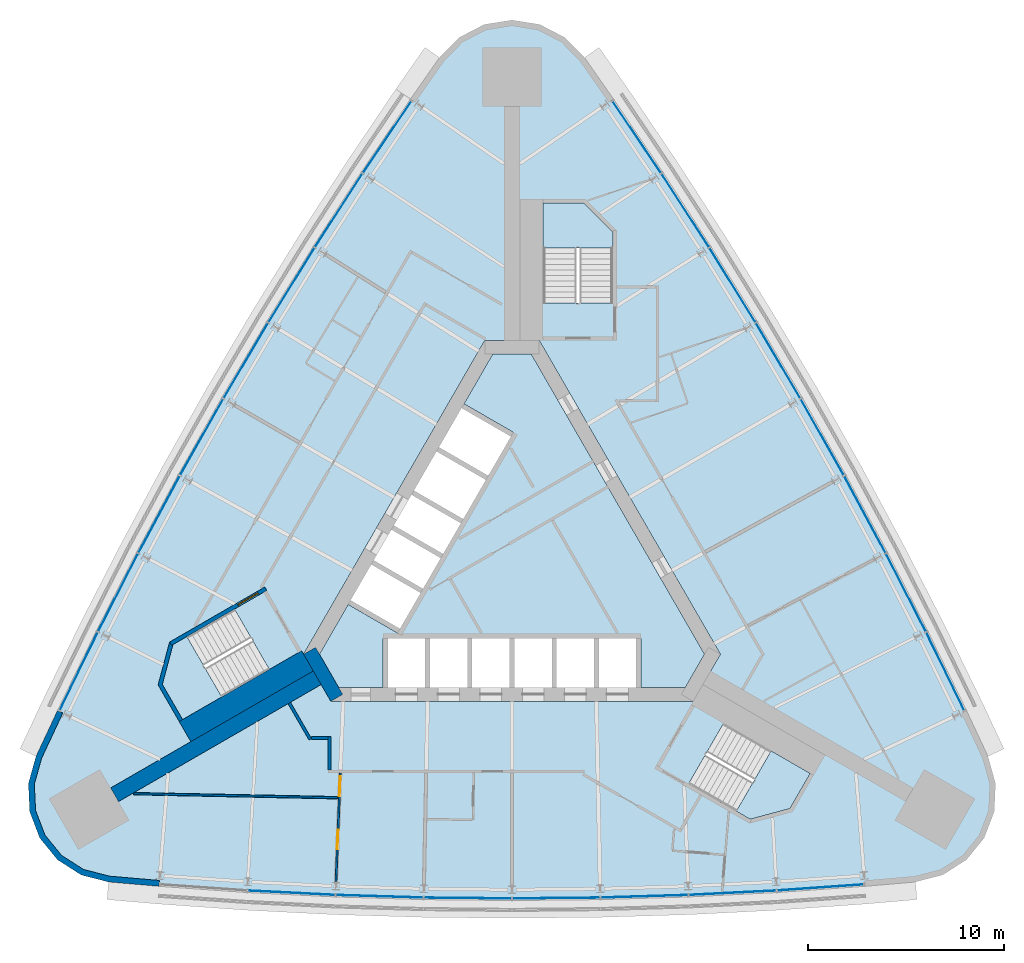
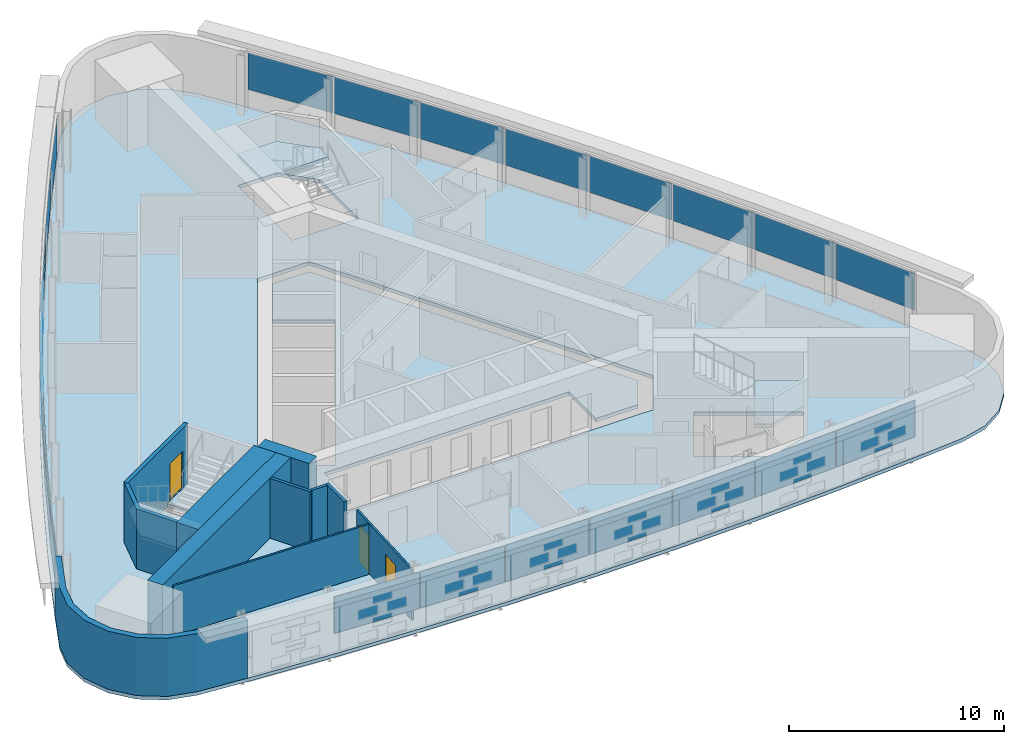
# One storey, part 6 of 11: 23 plates, 11 walls, 5 slabs, 3 doors, 3 openings, 6 elements without a shape of their own.
"""IFC4 building model written with IfcOpenShell, lengths in metres."""

from ifc_helpers import new_model, si_unit, direction, frame, frame_2d, origin, origin_2d, place, context, subcontext, project, spatial, polyline, rectangle, outline, extrude, material, layer, layer_set, type_object, element, fill, aggregate, save


model = new_model("IFC4")

# Units and contexts
model_context = context("Model", 3, precision=1e-05, world=origin(), true_north=direction((0.0, 1.0)))
body_context = subcontext(model_context, "Body", "Model", "MODEL_VIEW")
ifc_project = project(units=[si_unit("LENGTHUNIT", "METRE"), si_unit("AREAUNIT", "SQUARE_METRE"), si_unit("VOLUMEUNIT", "CUBIC_METRE"), si_unit("PLANEANGLEUNIT", "RADIAN"), si_unit("MASSUNIT", "GRAM", prefix="KILO")], contexts=[model_context])

# Site, building, storey
site_placement = place(None, origin())
site = spatial("IfcSite", under=ifc_project, at=site_placement, CompositionType="ELEMENT")
building_placement = place(site_placement, origin())
building = spatial("IfcBuilding", under=site, at=building_placement, Name="Noor Cloister Tower", CompositionType="ELEMENT")
storey_placement = place(building_placement, frame((0.0, 0.0, 109.5)))
storey = spatial("IfcBuildingStorey", under=building, at=storey_placement, Name="L28", CompositionType="ELEMENT", Elevation=109.5)

# Slabs
ifc_material_1 = material(Name="Concrete C40/50", Category="concrete")
ifc_layer_1 = layer(ifc_material_1, 0.199951171875)
ifc_layer_set_1 = layer_set([ifc_layer_1], Name="Core floor slab 200 C40/50")
slab_type_1 = type_object("IfcSlabType", Name="Core floor slab 200 C40/50", PredefinedType="FLOOR", material=ifc_layer_set_1)
slab_1_placement = place(storey_placement, frame((0.0, 0.0, -0.199951171875)))
element("IfcSlab", 1, at=slab_1_placement, inside=storey, type_object=slab_type_1, Name="Core floor L28", PredefinedType="FLOOR", context=body_context, shape_type="SweptSolid", body=[
    extrude(outline(polyline([(-6.574951171875, -6.228271484375), (-6.574951171875, -3.728271484375), (6.574951171875, -3.728271484375), (6.574951171875, -6.228271484375), (8.82470703125, -6.228271484375), (9.80615234375, -4.5283203125), (0.9814453125, 10.75634765625), (-0.9814453125, 10.75634765625), (-2.44384765625, 8.2236328125), (0.067626953125, 6.773681640625), (-5.832275390625, -3.4453125), (-8.34375, -1.995361328125), (-9.80615234375, -4.5283203125), (-8.82470703125, -6.228271484375), (-6.574951171875, -6.228271484375)])), origin(), (0.0, 0.0, 1.0), 0.199951171875),
])
ifc_material_2 = material(Name="Concrete C40/50", Category="concrete")
ifc_layer_2 = layer(ifc_material_2, 0.199951171875)
ifc_layer_set_2 = layer_set([ifc_layer_2], Name="Floor slab 200 C40/50")
slab_type_2 = type_object("IfcSlabType", Name="Floor slab 200 C40/50", PredefinedType="FLOOR", material=ifc_layer_set_2)
slab_2_placement = place(storey_placement, frame((0.0, 0.0, -0.199951171875)))
element("IfcSlab", 2, at=slab_2_placement, inside=storey, type_object=slab_type_2, Name="Floor slab L28", PredefinedType="FLOOR", context=body_context, shape_type="SweptSolid", body=[
    extrude(outline(polyline([(3.694091796875, 25.862548828125), (2.6904296875, 26.8876953125), (1.41650390625, 27.54736328125), (0.0, 27.774658203125), (-1.41650390625, 27.54736328125), (-2.6904296875, 26.8876953125), (-3.694091796875, 25.862548828125), (-5.1708984375, 23.747802734375), (-7.68896484375, 20.018310546875), (-10.131591796875, 16.239013671875), (-12.498046875, 12.41162109375), (-14.786865234375, 8.537353515625), (-16.99755859375, 4.617919921875), (-19.129150390625, 0.65478515625), (-21.180908203125, -3.350341796875), (-23.151611328125, -7.395751953125), (-24.24462890625, -9.732177734375), (-24.630615234375, -11.11376953125), (-24.56494140625, -12.546875), (-24.0537109375, -13.887451171875), (-23.1484375, -15.000244140625), (-21.940185546875, -15.77392578125), (-20.550537109375, -16.13037109375), (-17.980712890625, -16.35205078125), (-13.491943359375, -16.66796875), (-8.99755859375, -16.893798828125), (-4.499755859375, -17.029296875), (0.0, -17.074462890625), (4.499755859375, -17.029296875), (8.99755859375, -16.893798828125), (13.491943359375, -16.66796875), (17.980712890625, -16.35205078125), (20.550537109375, -16.13037109375), (21.940185546875, -15.77392578125), (23.1484375, -15.000244140625), (24.0537109375, -13.887451171875), (24.56494140625, -12.546875), (24.630615234375, -11.11376953125), (24.24462890625, -9.732177734375), (23.151611328125, -7.395751953125), (21.180908203125, -3.350341796875), (19.129150390625, 0.65478515625), (16.99755859375, 4.617919921875), (14.786865234375, 8.537353515625), (12.498046875, 12.41162109375), (10.131591796875, 16.239013671875), (7.68896484375, 20.018310546875), (5.1708984375, 23.747802734375), (3.694091796875, 25.862548828125)]), holes=[polyline([(8.999755859375, -11.126220703125), (12.131591796875, -12.934326171875), (14.1572265625, -12.3916015625), (15.19091796875, -10.601318359375), (10.774658203125, -8.0517578125), (8.999755859375, -11.126220703125)]), polyline([(-17.81005859375, -6.064697265625), (-16.776611328125, -7.85498046875), (-12.3603515625, -5.305419921875), (-14.13525390625, -2.23095703125), (-16.662841796875, -3.690185546875), (-17.267333984375, -4.039306640625), (-17.81005859375, -6.064697265625)]), polyline([(-10.6142578125, -4.5283203125), (-9.228759765625, -6.92822265625), (9.228759765625, -6.92822265625), (10.6142578125, -4.5283203125), (1.3857421875, 11.456298828125), (-1.3857421875, 11.456298828125), (-10.6142578125, -4.5283203125)]), polyline([(3.65283203125, 18.456298828125), (1.585693359375, 18.456298828125), (1.585693359375, 13.35693359375), (5.135498046875, 13.35693359375), (5.135498046875, 16.9736328125), (3.65283203125, 18.456298828125)])]), origin(), (0.0, 0.0, 1.0), 0.199951171875),
])

# Curtain wall, plates
ifc_material_3 = material(Name="Aluminium 6063-T6 anodised", Category="aluminium")
curtain_wall_type = type_object("IfcCurtainWallType", Name="Ribbon curtain wall, lower tower CW1", PredefinedType="NOTDEFINED", material=ifc_material_3)
curtain_wall_1_placement = place(storey_placement, origin())
curtain_wall_1 = element("IfcCurtainWall", 3, at=curtain_wall_1_placement, inside=storey, type_object=curtain_wall_type, Name="CW1 L28 NW run 1", PredefinedType="NOTDEFINED")
ifc_material_4 = material(Name="Clear laminated glass 2 x 8 mm", Category="glass")
ifc_layer_3 = layer(ifc_material_4, 0.028076171875)
ifc_layer_set_3 = layer_set([ifc_layer_3], Name="Glass panel CW1")
plate_type = type_object("IfcPlateType", Name="Glass panel CW1", PredefinedType="CURTAIN_PANEL", material=ifc_layer_set_3)
plate_1_placement = place(storey_placement, frame((-6.35791015625, 21.810791015625, 1.08984375), z_axis=(0.0, 0.0, 1.0), x_axis=(-0.559576269216, -0.828778860089, 0.0)))
plate_1 = element("IfcPlate", 4, at=plate_1_placement, type_object=plate_type, Name="CW1 glass panel 1", PredefinedType="CURTAIN_PANEL", context=body_context, shape_type="SweptSolid", body=[
    extrude(rectangle(XDim=4.39892578125, YDim=0.028076171875, at=origin_2d()), origin(), (0.0, 0.0, 1.0), 2.070068359375),
])
plate_2_placement = place(storey_placement, frame((-8.826416015625, 18.074462890625, 1.08984375), z_axis=(0.0, 0.0, 1.0), x_axis=(-0.542823743887, -0.839846642592, 0.0)))
plate_2 = element("IfcPlate", 5, at=plate_2_placement, type_object=plate_type, Name="CW1 glass panel 2", PredefinedType="CURTAIN_PANEL", context=body_context, shape_type="SweptSolid", body=[
    extrude(rectangle(XDim=4.43798828125, YDim=0.028076171875, at=origin_2d()), origin(), (0.0, 0.0, 1.0), 2.070068359375),
])
plate_3_placement = place(storey_placement, frame((-11.229736328125, 14.272705078125, 1.08984375), z_axis=(0.0, 0.0, 1.0), x_axis=(-0.525852368166, -0.85057585605, 0.0)))
plate_3 = element("IfcPlate", 6, at=plate_3_placement, type_object=plate_type, Name="CW1 glass panel 3", PredefinedType="CURTAIN_PANEL", context=body_context, shape_type="SweptSolid", body=[
    extrude(rectangle(XDim=4.43798828125, YDim=0.028076171875, at=origin_2d()), origin(), (0.0, 0.0, 1.0), 2.070068359375),
])
plate_4_placement = place(storey_placement, frame((-13.556396484375, 10.423583984375, 1.08984375), z_axis=(0.0, 0.0, 1.0), x_axis=(-0.508669013447, -0.860962156404, 0.0)))
plate_4 = element("IfcPlate", 7, at=plate_4_placement, type_object=plate_type, Name="CW1 glass panel 4", PredefinedType="CURTAIN_PANEL", context=body_context, shape_type="SweptSolid", body=[
    extrude(rectangle(XDim=4.43798828125, YDim=0.028076171875, at=origin_2d()), origin(), (0.0, 0.0, 1.0), 2.070068359375),
])
plate_5_placement = place(storey_placement, frame((-15.80517578125, 6.5283203125, 1.08984375), z_axis=(0.0, 0.0, 1.0), x_axis=(-0.491280592419, -0.871001365965, 0.0)))
plate_5 = element("IfcPlate", 8, at=plate_5_placement, type_object=plate_type, Name="CW1 glass panel 5", PredefinedType="CURTAIN_PANEL", context=body_context, shape_type="SweptSolid", body=[
    extrude(rectangle(XDim=4.43798828125, YDim=0.028076171875, at=origin_2d()), origin(), (0.0, 0.0, 1.0), 2.070068359375),
])
plate_6_placement = place(storey_placement, frame((-17.975341796875, 2.5888671875, 1.08984375), z_axis=(0.0, 0.0, 1.0), x_axis=(-0.473694115102, -0.880689437497, 0.0)))
plate_6 = element("IfcPlate", 9, at=plate_6_placement, type_object=plate_type, Name="CW1 glass panel 6", PredefinedType="CURTAIN_PANEL", context=body_context, shape_type="SweptSolid", body=[
    extrude(rectangle(XDim=4.43798828125, YDim=0.028076171875, at=origin_2d()), origin(), (0.0, 0.0, 1.0), 2.070068359375),
])
plate_7_placement = place(storey_placement, frame((-20.066162109375, -1.393310546875, 1.08984375), z_axis=(0.0, 0.0, 1.0), x_axis=(-0.455916655824, -0.890022473279, 0.0)))
plate_7 = element("IfcPlate", 10, at=plate_7_placement, type_object=plate_type, Name="CW1 glass panel 7", PredefinedType="CURTAIN_PANEL", context=body_context, shape_type="SweptSolid", body=[
    extrude(rectangle(XDim=4.43798828125, YDim=0.028076171875, at=origin_2d()), origin(), (0.0, 0.0, 1.0), 2.070068359375),
])
plate_8_placement = place(storey_placement, frame((-22.06787109375, -5.399169921875, 1.08984375), z_axis=(0.0, 0.0, 1.0), x_axis=(-0.437955412348, -0.89899669454, 0.0)))
plate_8 = element("IfcPlate", 11, at=plate_8_placement, type_object=plate_type, Name="CW1 glass panel 8", PredefinedType="CURTAIN_PANEL", context=body_context, shape_type="SweptSolid", body=[
    extrude(rectangle(XDim=4.39892578125, YDim=0.028076171875, at=origin_2d()), origin(), (0.0, 0.0, 1.0), 2.070068359375),
])
aggregate(curtain_wall_1, [plate_1, plate_2, plate_3, plate_4, plate_5, plate_6, plate_7, plate_8])

curtain_wall_2_placement = place(storey_placement, origin())
curtain_wall_2 = element("IfcCurtainWall", 12, at=curtain_wall_2_placement, inside=storey, type_object=curtain_wall_type, Name="CW1 L28 S run 2", PredefinedType="NOTDEFINED")
plate_9_placement = place(storey_placement, frame((-11.23974609375, -16.68115234375, 1.08984375), z_axis=(0.0, 0.0, 1.0), x_axis=(0.998740399711, -0.050175830687, 0.0)))
plate_9 = element("IfcPlate", 13, at=plate_9_placement, type_object=plate_type, Name="CW1 glass panel 2", PredefinedType="CURTAIN_PANEL", context=body_context, shape_type="SweptSolid", body=[
    extrude(rectangle(XDim=4.43798828125, YDim=0.028076171875, at=origin_2d()), origin(), (0.0, 0.0, 1.0), 2.070068359375),
])
plate_10_placement = place(storey_placement, frame((-6.74560546875, -16.861572265625, 1.08984375), z_axis=(0.0, 0.0, 1.0), x_axis=(0.999546483268, -0.030113581447, 0.0)))
plate_10 = element("IfcPlate", 14, at=plate_10_placement, type_object=plate_type, Name="CW1 glass panel 3", PredefinedType="CURTAIN_PANEL", context=body_context, shape_type="SweptSolid", body=[
    extrude(rectangle(XDim=4.43798828125, YDim=0.028076171875, at=origin_2d()), origin(), (0.0, 0.0, 1.0), 2.070068359375),
])
plate_11_placement = place(storey_placement, frame((-2.248779296875, -16.951904296875, 1.08984375), z_axis=(0.0, 0.0, 1.0), x_axis=(0.999949605866, -0.010039209561, 0.0)))
plate_11 = element("IfcPlate", 15, at=plate_11_placement, type_object=plate_type, Name="CW1 glass panel 4", PredefinedType="CURTAIN_PANEL", context=body_context, shape_type="SweptSolid", body=[
    extrude(rectangle(XDim=4.43798828125, YDim=0.028076171875, at=origin_2d()), origin(), (0.0, 0.0, 1.0), 2.070068359375),
])
plate_12_placement = place(storey_placement, frame((2.248779296875, -16.951904296875, 1.08984375), z_axis=(0.0, 0.0, 1.0), x_axis=(0.999949605866, 0.010039209561, 0.0)))
plate_12 = element("IfcPlate", 16, at=plate_12_placement, type_object=plate_type, Name="CW1 glass panel 5", PredefinedType="CURTAIN_PANEL", context=body_context, shape_type="SweptSolid", body=[
    extrude(rectangle(XDim=4.43798828125, YDim=0.028076171875, at=origin_2d()), origin(), (0.0, 0.0, 1.0), 2.070068359375),
])
plate_13_placement = place(storey_placement, frame((6.74560546875, -16.861572265625, 1.08984375), z_axis=(0.0, 0.0, 1.0), x_axis=(0.999546483268, 0.030113581447, 0.0)))
plate_13 = element("IfcPlate", 17, at=plate_13_placement, type_object=plate_type, Name="CW1 glass panel 6", PredefinedType="CURTAIN_PANEL", context=body_context, shape_type="SweptSolid", body=[
    extrude(rectangle(XDim=4.43798828125, YDim=0.028076171875, at=origin_2d()), origin(), (0.0, 0.0, 1.0), 2.070068359375),
])
plate_14_placement = place(storey_placement, frame((11.23974609375, -16.68115234375, 1.08984375), z_axis=(0.0, 0.0, 1.0), x_axis=(0.998740399711, 0.050175830687, 0.0)))
plate_14 = element("IfcPlate", 18, at=plate_14_placement, type_object=plate_type, Name="CW1 glass panel 7", PredefinedType="CURTAIN_PANEL", context=body_context, shape_type="SweptSolid", body=[
    extrude(rectangle(XDim=4.43798828125, YDim=0.028076171875, at=origin_2d()), origin(), (0.0, 0.0, 1.0), 2.070068359375),
])
plate_15_placement = place(storey_placement, frame((15.709716796875, -16.41162109375, 1.08984375), z_axis=(0.0, 0.0, 1.0), x_axis=(0.997531681565, 0.070217834452, 0.0)))
plate_15 = element("IfcPlate", 19, at=plate_15_placement, type_object=plate_type, Name="CW1 glass panel 8", PredefinedType="CURTAIN_PANEL", context=body_context, shape_type="SweptSolid", body=[
    extrude(rectangle(XDim=4.39892578125, YDim=0.028076171875, at=origin_2d()), origin(), (0.0, 0.0, 1.0), 2.070068359375),
])
aggregate(curtain_wall_2, [plate_9, plate_10, plate_11, plate_12, plate_13, plate_14, plate_15])

curtain_wall_3_placement = place(storey_placement, origin())
curtain_wall_3 = element("IfcCurtainWall", 20, at=curtain_wall_3_placement, inside=storey, type_object=curtain_wall_type, Name="CW1 L28 NE run 3", PredefinedType="NOTDEFINED")
plate_16_placement = place(storey_placement, frame((22.06787109375, -5.399169921875, 1.08984375), z_axis=(0.0, 0.0, 1.0), x_axis=(-0.437955412348, 0.89899669454, 0.0)))
plate_16 = element("IfcPlate", 21, at=plate_16_placement, type_object=plate_type, Name="CW1 glass panel 1", PredefinedType="CURTAIN_PANEL", context=body_context, shape_type="SweptSolid", body=[
    extrude(rectangle(XDim=4.39892578125, YDim=0.028076171875, at=origin_2d()), origin(), (0.0, 0.0, 1.0), 2.070068359375),
])
plate_17_placement = place(storey_placement, frame((20.066162109375, -1.393310546875, 1.08984375), z_axis=(0.0, 0.0, 1.0), x_axis=(-0.455916655824, 0.890022473279, 0.0)))
plate_17 = element("IfcPlate", 22, at=plate_17_placement, type_object=plate_type, Name="CW1 glass panel 2", PredefinedType="CURTAIN_PANEL", context=body_context, shape_type="SweptSolid", body=[
    extrude(rectangle(XDim=4.43798828125, YDim=0.028076171875, at=origin_2d()), origin(), (0.0, 0.0, 1.0), 2.070068359375),
])
plate_18_placement = place(storey_placement, frame((17.975341796875, 2.5888671875, 1.08984375), z_axis=(0.0, 0.0, 1.0), x_axis=(-0.473694115102, 0.880689437497, 0.0)))
plate_18 = element("IfcPlate", 23, at=plate_18_placement, type_object=plate_type, Name="CW1 glass panel 3", PredefinedType="CURTAIN_PANEL", context=body_context, shape_type="SweptSolid", body=[
    extrude(rectangle(XDim=4.43798828125, YDim=0.028076171875, at=origin_2d()), origin(), (0.0, 0.0, 1.0), 2.070068359375),
])
plate_19_placement = place(storey_placement, frame((15.80517578125, 6.5283203125, 1.08984375), z_axis=(0.0, 0.0, 1.0), x_axis=(-0.491280592419, 0.871001365965, 0.0)))
plate_19 = element("IfcPlate", 24, at=plate_19_placement, type_object=plate_type, Name="CW1 glass panel 4", PredefinedType="CURTAIN_PANEL", context=body_context, shape_type="SweptSolid", body=[
    extrude(rectangle(XDim=4.43798828125, YDim=0.028076171875, at=origin_2d()), origin(), (0.0, 0.0, 1.0), 2.070068359375),
])
plate_20_placement = place(storey_placement, frame((13.556396484375, 10.423583984375, 1.08984375), z_axis=(0.0, 0.0, 1.0), x_axis=(-0.508669013447, 0.860962156404, 0.0)))
plate_20 = element("IfcPlate", 25, at=plate_20_placement, type_object=plate_type, Name="CW1 glass panel 5", PredefinedType="CURTAIN_PANEL", context=body_context, shape_type="SweptSolid", body=[
    extrude(rectangle(XDim=4.43798828125, YDim=0.028076171875, at=origin_2d()), origin(), (0.0, 0.0, 1.0), 2.070068359375),
])
plate_21_placement = place(storey_placement, frame((11.229736328125, 14.272705078125, 1.08984375), z_axis=(0.0, 0.0, 1.0), x_axis=(-0.525852368166, 0.85057585605, 0.0)))
plate_21 = element("IfcPlate", 26, at=plate_21_placement, type_object=plate_type, Name="CW1 glass panel 6", PredefinedType="CURTAIN_PANEL", context=body_context, shape_type="SweptSolid", body=[
    extrude(rectangle(XDim=4.43798828125, YDim=0.028076171875, at=origin_2d()), origin(), (0.0, 0.0, 1.0), 2.070068359375),
])
plate_22_placement = place(storey_placement, frame((8.826416015625, 18.074462890625, 1.08984375), z_axis=(0.0, 0.0, 1.0), x_axis=(-0.542823743887, 0.839846642592, 0.0)))
plate_22 = element("IfcPlate", 27, at=plate_22_placement, type_object=plate_type, Name="CW1 glass panel 7", PredefinedType="CURTAIN_PANEL", context=body_context, shape_type="SweptSolid", body=[
    extrude(rectangle(XDim=4.43798828125, YDim=0.028076171875, at=origin_2d()), origin(), (0.0, 0.0, 1.0), 2.070068359375),
])
plate_23_placement = place(storey_placement, frame((6.35791015625, 21.810791015625, 1.08984375), z_axis=(0.0, 0.0, 1.0), x_axis=(-0.559576269216, 0.828778860089, 0.0)))
plate_23 = element("IfcPlate", 28, at=plate_23_placement, type_object=plate_type, Name="CW1 glass panel 8", PredefinedType="CURTAIN_PANEL", context=body_context, shape_type="SweptSolid", body=[
    extrude(rectangle(XDim=4.39892578125, YDim=0.028076171875, at=origin_2d()), origin(), (0.0, 0.0, 1.0), 2.070068359375),
])
aggregate(curtain_wall_3, [plate_16, plate_17, plate_18, plate_19, plate_20, plate_21, plate_22, plate_23])

# Stair, slab
ifc_material_5 = material(Name="Concrete C40/50", Category="concrete")
stair_type = type_object("IfcStairType", Name="Exit stair 22 risers", PredefinedType="HALF_TURN_STAIR", material=ifc_material_5)
stair_1_placement = place(storey_placement, origin())
stair_1 = element("IfcStair", 29, at=stair_1_placement, inside=storey, type_object=stair_type, Name="Exit stair ST1 L28", PredefinedType="HALF_TURN_STAIR")
ifc_material_6 = material(Name="Concrete C40/50", Category="concrete")
ifc_layer_4 = layer(ifc_material_6, 0.199951171875)
ifc_layer_set_4 = layer_set([ifc_layer_4], Name="Stair landing 200 C40/50")
slab_type_3 = type_object("IfcSlabType", Name="Stair landing 200 C40/50", PredefinedType="LANDING", material=ifc_layer_set_4)
slab_3_placement = place(storey_placement, frame((0.0, 0.0, 1.60009765625)))
slab_3 = element("IfcSlab", 30, at=slab_3_placement, type_object=slab_type_3, Name="ST1 landing 1", PredefinedType="LANDING", context=body_context, shape_type="SweptSolid", body=[
    extrude(outline(polyline([(5.135498046875, 16.15576171875), (5.135498046875, 16.9736328125), (3.65283203125, 18.456298828125), (1.585693359375, 18.456298828125), (1.585693359375, 16.15576171875), (5.135498046875, 16.15576171875)])), origin(), (0.0, 0.0, 1.0), 0.199951171875),
])
aggregate(stair_1, [slab_3])

stair_2_placement = place(storey_placement, origin())
stair_2 = element("IfcStair", 31, at=stair_2_placement, inside=storey, type_object=stair_type, Name="Exit stair ST2 L28", PredefinedType="HALF_TURN_STAIR")
slab_4_placement = place(storey_placement, frame((0.0, 0.0, 1.60009765625)))
slab_4 = element("IfcSlab", 32, at=slab_4_placement, type_object=slab_type_3, Name="ST2 landing 1", PredefinedType="LANDING", context=body_context, shape_type="SweptSolid", body=[
    extrude(outline(polyline([(-16.55908203125, -3.63037109375), (-17.267333984375, -4.039306640625), (-17.81005859375, -6.064697265625), (-16.776611328125, -7.85498046875), (-14.7841796875, -6.70458984375), (-16.55908203125, -3.63037109375)])), origin(), (0.0, 0.0, 1.0), 0.199951171875),
])
aggregate(stair_2, [slab_4])

stair_3_placement = place(storey_placement, origin())
stair_3 = element("IfcStair", 33, at=stair_3_placement, inside=storey, type_object=stair_type, Name="Exit stair ST3 L28", PredefinedType="HALF_TURN_STAIR")
slab_5_placement = place(storey_placement, frame((0.0, 0.0, 1.60009765625)))
slab_5 = element("IfcSlab", 34, at=slab_5_placement, type_object=slab_type_3, Name="ST3 landing 1", PredefinedType="LANDING", context=body_context, shape_type="SweptSolid", body=[
    extrude(outline(polyline([(11.423583984375, -12.525390625), (12.131591796875, -12.934326171875), (14.1572265625, -12.3916015625), (15.19091796875, -10.601318359375), (13.198486328125, -9.451171875), (11.423583984375, -12.525390625)])), origin(), (0.0, 0.0, 1.0), 0.199951171875),
])
aggregate(stair_3, [slab_5])

# Walls
ifc_material_7 = material(Name="Concrete C80/95", Category="concrete")
ifc_layer_5 = layer(ifc_material_7, 0.800048828125)
ifc_layer_set_5 = layer_set([ifc_layer_5], Name="Buttress wall 800 C80/95")
wall_type_1 = type_object("IfcWallType", Name="Buttress wall 800 C80/95", PredefinedType="SHEAR", material=ifc_layer_set_5)
wall_1_placement = place(storey_placement, frame((-9.921630859375, -5.728271484375, -0.199951171875), z_axis=(0.0, 0.0, 1.0), x_axis=(-0.866027307971, -0.499996701837, 0.0)))
element("IfcWall", 35, at=wall_1_placement, inside=storey, type_object=wall_type_1, Name="Buttress wall SW L28", PredefinedType="SHEAR", context=body_context, shape_type="SweptSolid", body=[
    extrude(rectangle(XDim=11.91845703125, YDim=0.800048828125, at=frame_2d((5.959228515625, 0.0))), origin(), (0.0, 0.0, 1.0), 3.599853515625),
])
ifc_material_8 = material(Name="Concrete C80/95", Category="concrete")
ifc_layer_6 = layer(ifc_material_8, 0.699951171875)
ifc_layer_set_6 = layer_set([ifc_layer_6], Name="Core wall 700 C80/95")
wall_type_2 = type_object("IfcWallType", Name="Core wall 700 C80/95", PredefinedType="SHEAR", material=ifc_layer_set_6)
wall_2_placement = place(storey_placement, frame((-10.311279296875, -4.353271484375, -0.199951171875), z_axis=(0.0, 0.0, 1.0), x_axis=(0.500042739161, -0.866000726912, 0.0)))
element("IfcWall", 36, at=wall_2_placement, inside=storey, type_object=wall_type_2, Name="Core wall L28 6", PredefinedType="SHEAR", context=body_context, shape_type="SweptSolid", body=[
    extrude(rectangle(XDim=2.771240234375, YDim=0.699951171875, at=frame_2d((1.3857421875, 0.0))), origin(), (0.0, 0.0, 1.0), 3.599853515625),
])
ifc_material_9 = material(Name="Gypsum board partition on steel studs, 150 mm", Category="steel")
ifc_layer_7 = layer(ifc_material_9, 0.14990234375)
ifc_layer_set_7 = layer_set([ifc_layer_7], Name="Flat wall 150")
wall_type_3 = type_object("IfcWallType", Name="Flat wall 150", PredefinedType="PARTITIONING", material=ifc_layer_set_7)
wall_3_placement = place(storey_placement, frame((-11.34521484375, -7.01220703125, 0.0), z_axis=(0.0, 0.0, 1.0), x_axis=(0.499998569178, -0.866026229868, 0.0)))
element("IfcWall", 37, at=wall_3_placement, inside=storey, type_object=wall_type_3, Name="Flat wall 150 L28 011", PredefinedType="PARTITIONING", context=body_context, shape_type="SweptSolid", body=[
    extrude(rectangle(XDim=2.14306640625, YDim=0.14990234375, at=frame_2d((1.071533203125, 0.0))), origin(), (0.0, 0.0, 1.0), 3.39990234375),
])
wall_4_placement = place(storey_placement, frame((-9.3037109375, -10.42822265625, 0.0), z_axis=(0.0, 0.0, 1.0), x_axis=(0.0, 1.0, 0.0)))
element("IfcWall", 38, at=wall_4_placement, inside=storey, type_object=wall_type_3, Name="Flat wall 150 L28 014", PredefinedType="PARTITIONING", context=body_context, shape_type="SweptSolid", body=[
    extrude(rectangle(XDim=1.699951171875, YDim=0.14990234375, at=frame_2d((0.85009765625, 0.0))), origin(), (0.0, 0.0, 1.0), 3.39990234375),
])
wall_5_placement = place(storey_placement, frame((-10.208740234375, -8.80322265625, 0.0), z_axis=(0.0, 0.0, 1.0), x_axis=(1.0, 0.0, 0.0)))
element("IfcWall", 39, at=wall_5_placement, inside=storey, type_object=wall_type_3, Name="Flat wall 150 L28 015", PredefinedType="PARTITIONING", context=body_context, shape_type="SweptSolid", body=[
    extrude(rectangle(XDim=0.830078125, YDim=0.14990234375, at=frame_2d((0.4150390625, 0.0))), origin(), (0.0, 0.0, 1.0), 3.39990234375),
])
ifc_material_10 = material(Name="Limestone", Category="masonry")
ifc_layer_8 = layer(ifc_material_10, 0.300048828125)
ifc_layer_set_8 = layer_set([ifc_layer_8], Name="Limestone cladding 300")
wall_type_4 = type_object("IfcWallType", Name="Limestone cladding 300", PredefinedType="NOTDEFINED", material=ifc_layer_set_8)
wall_6_placement = place(storey_placement, origin())
element("IfcWall", 40, at=wall_6_placement, inside=storey, type_object=wall_type_4, Name="Limestone pier cladding L28 1.1", PredefinedType="NOTDEFINED", context=body_context, shape_type="SweptSolid", body=[
    extrude(outline(polyline([(-23.151611328125, -7.395751953125), (-24.24462890625, -9.732177734375), (-24.630615234375, -11.11376953125), (-24.56494140625, -12.546875), (-24.0537109375, -13.887451171875), (-23.1484375, -15.000244140625), (-21.940185546875, -15.77392578125), (-20.550537109375, -16.13037109375), (-17.980712890625, -16.35205078125), (-17.954833984375, -16.05322265625), (-20.5, -15.83349609375), (-21.819091796875, -15.495361328125), (-22.946044921875, -14.773681640625), (-23.79052734375, -13.7353515625), (-24.267333984375, -12.485107421875), (-24.328857421875, -11.148193359375), (-23.96240234375, -9.8369140625), (-22.8798828125, -7.522705078125), (-23.151611328125, -7.395751953125)])), origin(), (0.0, 0.0, 1.0), 3.300048828125),
])
ifc_material_11 = material(Name="Gypsum board partition on steel studs, 100 mm", Category="steel")
ifc_layer_9 = layer(ifc_material_11, 0.10009765625)
ifc_layer_set_9 = layer_set([ifc_layer_9], Name="Partition 100")
wall_type_5 = type_object("IfcWallType", Name="Partition 100", PredefinedType="PARTITIONING", material=ifc_layer_set_9)
wall_7_placement = place(storey_placement, frame((-8.885009765625, -11.83935546875, 0.0), z_axis=(0.0, 0.0, 1.0), x_axis=(-0.999798608679, 0.020068434987, 0.0)))
element("IfcWall", 41, at=wall_7_placement, inside=storey, type_object=wall_type_5, Name="Partition 100 L28 022", PredefinedType="PARTITIONING", context=body_context, shape_type="SweptSolid", body=[
    extrude(rectangle(XDim=10.377197265625, YDim=0.10009765625, at=frame_2d((5.1884765625, 0.0))), origin(), (0.0, 0.0, 1.0), 2.846923828125),
])

# Wall, openings, doors
wall_8_placement = place(storey_placement, frame((-8.965576171875, -16.094482421875, 0.0), z_axis=(0.0, 0.0, 1.0), x_axis=(0.040167671745, 0.999192953411, 0.0)))
wall_8 = element("IfcWall", 42, at=wall_8_placement, inside=storey, type_object=wall_type_5, Name="Partition 100 L28 024", PredefinedType="PARTITIONING", context=body_context, shape_type="SweptSolid", body=[
    extrude(rectangle(XDim=5.518798828125, YDim=0.10009765625, at=frame_2d((2.75927734375, 0.0))), origin(), (0.0, 0.0, 1.0), 2.846923828125),
])
opening_1_placement = place(wall_8_placement, frame((4.34521484375, 0.0, 0.0)))
opening_1 = element("IfcOpeningElement", 43, at=opening_1_placement, cuts=wall_8, Name="Opening L28-015", PredefinedType="OPENING", context=body_context, shape_type="SweptSolid", body=[
    extrude(rectangle(XDim=1.0, YDim=2.10009765625, at=frame_2d((0.5, 1.050048828125))), frame((0.0, 0.06005859375, 0.0), z_axis=(0.0, -1.0, 0.0), x_axis=(1.0, 0.0, 0.0)), (0.0, 0.0, 1.0), 0.1201171875),
])
opening_2_placement = place(wall_8_placement, frame((1.634033203125, 0.0, 0.0)))
opening_2 = element("IfcOpeningElement", 44, at=opening_2_placement, cuts=wall_8, Name="Opening L28-016", PredefinedType="OPENING", context=body_context, shape_type="SweptSolid", body=[
    extrude(rectangle(XDim=1.0, YDim=2.10009765625, at=frame_2d((0.5, 1.050048828125))), frame((0.0, 0.06005859375, 0.0), z_axis=(0.0, -1.0, 0.0), x_axis=(1.0, 0.0, 0.0)), (0.0, 0.0, 1.0), 0.1201171875),
])
ifc_material_12 = material(Name="Timber door leaf with steel frame", Category="steel")
door_type_1 = type_object("IfcDoorType", Name="Interior door 1000", OperationType="NOTDEFINED", PredefinedType="DOOR", material=ifc_material_12)
door_1_placement = place(opening_1_placement, origin())
door_1 = element("IfcDoor", 45, at=door_1_placement, inside=storey, type_object=door_type_1, Name="Interior door 1000 L28-015", OperationType="SINGLE_SWING_RIGHT", OverallHeight=2.10009765625, OverallWidth=1.0, PredefinedType="DOOR", context=body_context, shape_type="SweptSolid", body=[
    extrude(rectangle(XDim=1.0, YDim=2.10009765625, at=frame_2d((0.5, 1.050048828125))), frame((0.0, 0.02490234375, 0.0), z_axis=(0.0, -1.0, 0.0), x_axis=(1.0, 0.0, 0.0)), (0.0, 0.0, 1.0), 0.050048828125),
])
fill(opening_1, door_1)
door_2_placement = place(opening_2_placement, origin())
door_2 = element("IfcDoor", 46, at=door_2_placement, inside=storey, type_object=door_type_1, Name="Interior door 1000 L28-016", OperationType="SINGLE_SWING_LEFT", OverallHeight=2.10009765625, OverallWidth=1.0, PredefinedType="DOOR", context=body_context, shape_type="SweptSolid", body=[
    extrude(rectangle(XDim=1.0, YDim=2.10009765625, at=frame_2d((0.5, 1.050048828125))), frame((0.0, 0.02490234375, 0.0), z_axis=(0.0, -1.0, 0.0), x_axis=(1.0, 0.0, 0.0)), (0.0, 0.0, 1.0), 0.050048828125),
])
fill(opening_2, door_2)

# Wall
ifc_material_13 = material(Name="Concrete C80/95", Category="concrete")
ifc_layer_10 = layer(ifc_material_13, 1.18603515625)
ifc_layer_set_10 = layer_set([ifc_layer_10], Name="Stair enclosure wall 1186 C80/95")
wall_type_6 = type_object("IfcWallType", Name="Stair enclosure wall 1186 C80/95", PredefinedType="SHEAR", material=ifc_layer_set_10)
wall_9_placement = place(storey_placement, frame((-10.41796875, -4.868408203125, -0.199951171875), z_axis=(0.0, 0.0, 1.0), x_axis=(-0.866018442252, -0.500012057535, 0.0)))
element("IfcWall", 47, at=wall_9_placement, inside=storey, type_object=wall_type_6, Name="Stair enclosure wall ST2 L28 riser side", PredefinedType="SHEAR", context=body_context, shape_type="SweptSolid", body=[
    extrude(rectangle(XDim=7.199951171875, YDim=1.185546875, at=frame_2d((3.60009765625, 0.0))), origin(), (0.0, 0.0, 1.0), 3.599853515625),
])

# Wall, opening, door
ifc_material_14 = material(Name="Concrete C80/95", Category="concrete")
ifc_layer_11 = layer(ifc_material_14, 0.199951171875)
ifc_layer_set_11 = layer_set([ifc_layer_11], Name="Stair enclosure wall 200 C80/95")
wall_type_7 = type_object("IfcWallType", Name="Stair enclosure wall 200 C80/95", PredefinedType="SHEAR", material=ifc_layer_set_11)
wall_10_placement = place(storey_placement, frame((-12.539306640625, -1.194091796875, -0.199951171875), z_axis=(0.0, 0.0, 1.0), x_axis=(-0.866045472092, -0.499965239061, 0.0)))
wall_10 = element("IfcWall", 48, at=wall_10_placement, inside=storey, type_object=wall_type_7, Name="Stair enclosure wall ST2 L28 outer side", PredefinedType="SHEAR", context=body_context, shape_type="SweptSolid", body=[
    extrude(rectangle(XDim=5.60009765625, YDim=0.199951171875, at=frame_2d((2.800048828125, 0.0))), origin(), (0.0, 0.0, 1.0), 3.599853515625),
])
opening_3_placement = place(wall_10_placement, frame((0.449951171875, 0.0, 0.199951171875)))
opening_3 = element("IfcOpeningElement", 49, at=opening_3_placement, cuts=wall_10, Name="Opening L28-ST2C", PredefinedType="OPENING", context=body_context, shape_type="SweptSolid", body=[
    extrude(rectangle(XDim=1.199951171875, YDim=2.10009765625, at=frame_2d((0.60009765625, 1.050048828125))), frame((0.0, 0.10986328125, 0.0), z_axis=(0.0, -1.0, 0.0), x_axis=(1.0, 0.0, 0.0)), (0.0, 0.0, 1.0), 0.219970703125),
])
ifc_material_15 = material(Name="Steel", Category="steel")
door_type_2 = type_object("IfcDoorType", Name="Stair door 1200 x 2100 FD120", OperationType="SINGLE_SWING_LEFT", PredefinedType="DOOR", material=ifc_material_15)
door_3_placement = place(opening_3_placement, origin())
door_3 = element("IfcDoor", 50, at=door_3_placement, inside=storey, type_object=door_type_2, Name="Stair door ST2 L28", OperationType="SINGLE_SWING_LEFT", OverallHeight=2.10009765625, OverallWidth=1.199951171875, PredefinedType="DOOR", context=body_context, shape_type="SweptSolid", body=[
    extrude(rectangle(XDim=1.199951171875, YDim=2.10009765625, at=frame_2d((0.60009765625, 1.050048828125))), frame((0.0, 0.02490234375, 0.0), z_axis=(0.0, -1.0, 0.0), x_axis=(1.0, 0.0, 0.0)), (0.0, 0.0, 1.0), 0.050048828125),
])
fill(opening_3, door_3)

# Wall
ifc_material_16 = material(Name="Concrete C80/95", Category="concrete")
wall_type_8 = type_object("IfcWallType", Name="Stair far end wall C80/95", PredefinedType="SHEAR", material=ifc_material_16)
wall_11_placement = place(storey_placement, frame((0.0, 0.0, -0.199951171875)))
element("IfcWall", 51, at=wall_11_placement, inside=storey, type_object=wall_type_8, Name="Stair enclosure wall ST2 L28 far end", PredefinedType="SHEAR", context=body_context, shape_type="SweptSolid", body=[
    extrude(outline(polyline([(-17.439208984375, -3.907470703125), (-18.024658203125, -6.093017578125), (-16.94970703125, -7.955078125), (-16.776611328125, -7.85498046875), (-17.81005859375, -6.064697265625), (-17.267333984375, -4.039306640625), (-17.339111328125, -4.08056640625), (-17.339111328125, -4.08056640625), (-17.339111328125, -4.08056640625), (-17.339111328125, -4.08056640625), (-17.339111328125, -4.08056640625), (-17.339111328125, -4.08056640625), (-17.339111328125, -4.08056640625), (-17.339111328125, -4.08056640625), (-17.339111328125, -4.08056640625), (-17.339111328125, -4.08056640625), (-17.339111328125, -4.08056640625), (-17.339111328125, -4.08056640625), (-17.339111328125, -4.08056640625), (-17.339111328125, -4.08056640625), (-17.339111328125, -4.08056640625), (-17.339111328125, -4.08056640625), (-17.339111328125, -4.08056640625), (-17.439208984375, -3.907470703125)])), origin(), (0.0, 0.0, 1.0), 3.599853515625),
])

save(model, "model.ifc")
